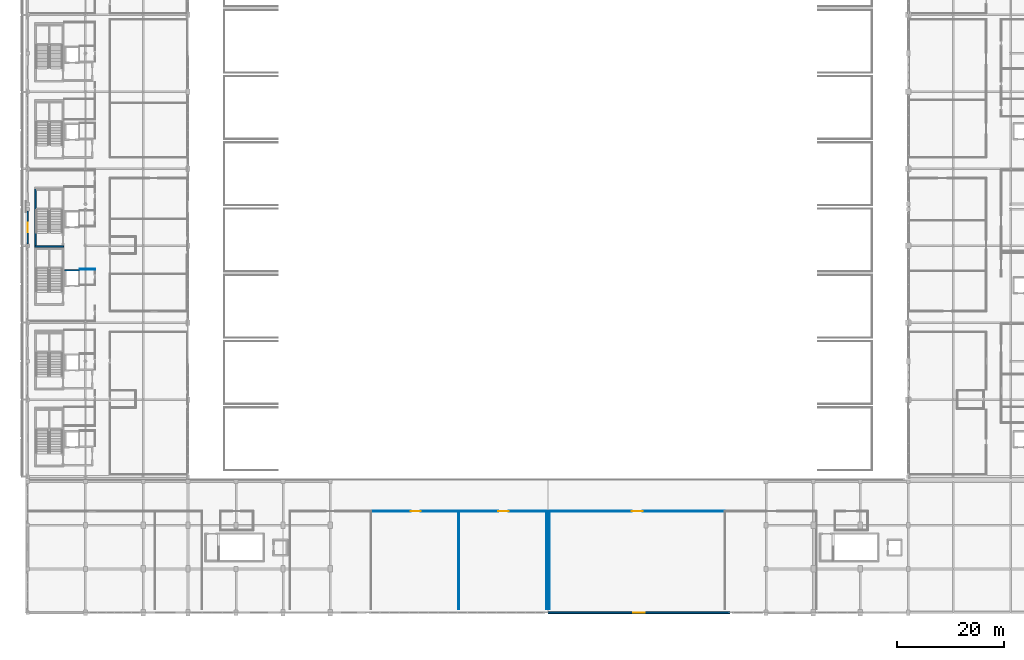
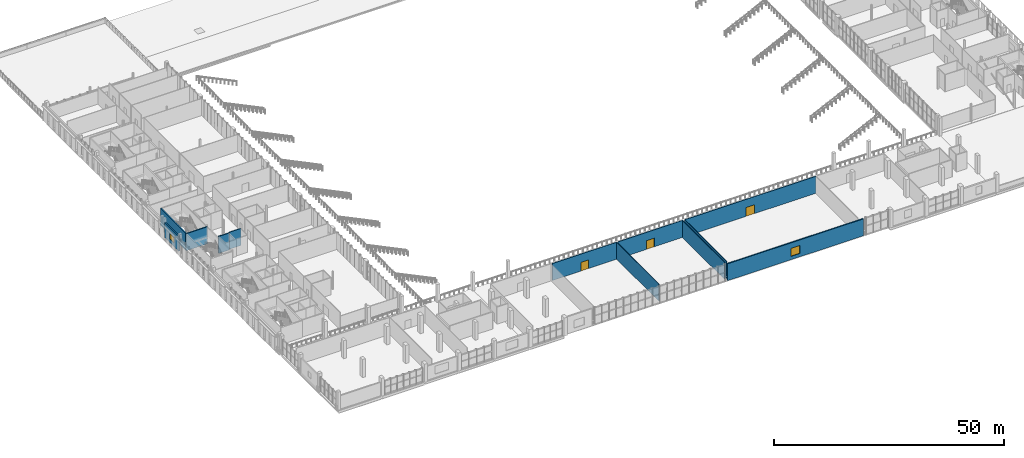
# One storey, part 65 of 104: 12 walls, 3 doors, 2 windows, 5 openings.
"""IFC4 building model written with IfcOpenShell, lengths in metres."""

from ifc_helpers import new_model, si_unit, direction, frame, frame_2d, origin, place, context, subcontext, project, spatial, rectangle, extrude, material, layer, layer_set, type_object, element, fill, save


model = new_model("IFC4")

# Units and contexts
model_context = context("Model", 3, precision=1e-05, world=origin(), true_north=direction((0.0, 1.0)))
body_context = subcontext(model_context, "Body", "Model", "MODEL_VIEW")
ifc_project = project(units=[si_unit("LENGTHUNIT", "METRE"), si_unit("AREAUNIT", "SQUARE_METRE"), si_unit("VOLUMEUNIT", "CUBIC_METRE"), si_unit("PLANEANGLEUNIT", "RADIAN"), si_unit("MASSUNIT", "GRAM", prefix="KILO")], contexts=[model_context])

# Site, building, storey
site_placement = place(None, origin())
site = spatial("IfcSite", under=ifc_project, at=site_placement, CompositionType="ELEMENT")
building_placement = place(site_placement, origin())
building = spatial("IfcBuilding", under=site, at=building_placement, Name="Koshinbarg Plaza Stadium", CompositionType="ELEMENT")
storey_placement = place(building_placement, frame((0.0, 0.0, 19.800048828125)))
storey = spatial("IfcBuildingStorey", under=building, at=storey_placement, Name="L04", CompositionType="ELEMENT", Elevation=19.800048828125)

# Walls
ifc_material_1 = material(Name="Concrete C40/50", Category="concrete")
ifc_layer_1 = layer(ifc_material_1, 0.25)
ifc_layer_set_1 = layer_set([ifc_layer_1], Name="Concrete C40/50")
wall_type_1 = type_object("IfcWallType", Name="WL-CORE-250", PredefinedType="SHEAR", material=ifc_layer_set_1)
wall_1_placement = place(storey_placement, frame((31.320068359375, 68.52490234375, 0.0), z_axis=(0.0, 0.0, 1.0), x_axis=(-1.0, 0.0, 0.0)))
element("IfcWall", 1, at=wall_1_placement, inside=storey, type_object=wall_type_1, Name="L04 core stair shear wall C03-far IWL-L04-0074", PredefinedType="SHEAR", context=body_context, shape_type="SweptSolid", body=[
    extrude(rectangle(XDim=5.3701171875, YDim=0.25, at=frame_2d((2.68505859375, 0.0))), origin(), (0.0, 0.0, 1.0), 4.5),
])
wall_2_placement = place(storey_placement, frame((26.074951171875, 68.675048828125, 0.0), z_axis=(0.0, 0.0, 1.0), x_axis=(0.0, 1.0, 0.0)))
element("IfcWall", 2, at=wall_2_placement, inside=storey, type_object=wall_type_1, Name="L04 core stair shear wall C04-left IWL-L04-0098", PredefinedType="SHEAR", context=body_context, shape_type="SweptSolid", body=[
    extrude(rectangle(XDim=10.849853515625, YDim=0.25, at=frame_2d((5.4248046875, 0.0))), origin(), (0.0, 0.0, 1.0), 4.5),
])
wall_3_placement = place(storey_placement, frame((34.27490234375, 64.10009765625, 0.0), z_axis=(0.0, 0.0, 1.0), x_axis=(-1.0, 0.0, 0.0)))
element("IfcWall", 3, at=wall_3_placement, inside=storey, type_object=wall_type_1, Name="L04 lift shaft shear wall LP01-N IWL-L04-0725", PredefinedType="SHEAR", context=body_context, shape_type="SweptSolid", body=[
    extrude(rectangle(XDim=2.75, YDim=0.25, at=frame_2d((1.375, 0.0))), origin(), (0.0, 0.0, 1.0), 4.5),
])

# Wall, opening, window
ifc_material_2 = material(Name="Off-white mineral plaster insulated wall", Category="masonry")
ifc_layer_2 = layer(ifc_material_2, 0.300048828125)
ifc_layer_set_2 = layer_set([ifc_layer_2], Name="Off-white mineral plaster insulated wall")
wall_type_2 = type_object("IfcWallType", Name="WL-EXT-300", PredefinedType="SOLIDWALL", material=ifc_layer_set_2)
wall_4_placement = place(storey_placement, frame((24.60009765625, 69.02001953125, 0.0), z_axis=(0.0, 0.0, 1.0), x_axis=(0.0, 1.0, 0.0)))
wall_4 = element("IfcWall", 4, at=wall_4_placement, inside=storey, type_object=wall_type_2, Name="L04 exterior envelope wall EWL-L04-0205", PredefinedType="SOLIDWALL", context=body_context, shape_type="SweptSolid", body=[
    extrude(rectangle(XDim=6.159912109375, YDim=0.300048828125, at=frame_2d((3.080078125, 0.0))), origin(), (0.0, 0.0, 1.0), 3.8798828125),
])
opening_1_placement = place(wall_4_placement, frame((2.179931640625, 0.0, 0.89990234375)))
opening_1 = element("IfcOpeningElement", 5, at=opening_1_placement, cuts=wall_4, Name="Opening WN04", PredefinedType="OPENING", context=body_context, shape_type="SweptSolid", body=[
    extrude(rectangle(XDim=1.800048828125, YDim=1.5, at=frame_2d((0.89990234375, 0.75))), frame((0.0, 0.159912109375, 0.0), z_axis=(0.0, -1.0, 0.0), x_axis=(1.0, 0.0, 0.0)), (0.0, 0.0, 1.0), 0.320068359375),
])
ifc_material_3 = material(Name="Solar-control double glazing in thermally broken aluminium frame", Category="aluminium")
window_type_1 = type_object("IfcWindowType", Name="WN-FAC-04", PartitioningType="DOUBLE_PANEL_VERTICAL", PredefinedType="WINDOW", material=ifc_material_3)
window_1_placement = place(opening_1_placement, origin())
window_1 = element("IfcWindow", 6, at=window_1_placement, inside=storey, type_object=window_type_1, Name="L04 facade window 0138", OverallHeight=1.5, OverallWidth=1.800048828125, PartitioningType="SINGLE_PANEL", PredefinedType="WINDOW", context=body_context, shape_type="SweptSolid", body=[
    extrude(rectangle(XDim=1.800048828125, YDim=1.5, at=frame_2d((0.89990234375, 0.75))), frame((0.0, 0.030029296875, 0.0), z_axis=(0.0, -1.0, 0.0), x_axis=(1.0, 0.0, 0.0)), (0.0, 0.0, 1.0), 0.06005859375),
])
fill(opening_1, window_1)

wall_5_placement = place(storey_placement, frame((156.0, 0.0, 0.0), z_axis=(0.0, 0.0, 1.0), x_axis=(-1.0, 0.0, 0.0)))
wall_5 = element("IfcWall", 7, at=wall_5_placement, inside=storey, type_object=wall_type_2, Name="L04 exterior envelope wall EWL-L04-0217", PredefinedType="SOLIDWALL", context=body_context, shape_type="SweptSolid", body=[
    extrude(rectangle(XDim=34.0, YDim=0.300048828125, at=frame_2d((17.0, 0.0))), origin(), (0.0, 0.0, 1.0), 4.47998046875),
])
opening_2_placement = place(wall_5_placement, frame((15.89990234375, 0.0, 0.89990234375)))
opening_2 = element("IfcOpeningElement", 8, at=opening_2_placement, cuts=wall_5, Name="Opening WN15", PredefinedType="OPENING", context=body_context, shape_type="SweptSolid", body=[
    extrude(rectangle(XDim=2.199951171875, YDim=2.10009765625, at=frame_2d((1.10009765625, 1.050048828125))), frame((0.0, 0.159912109375, 0.0), z_axis=(0.0, -1.0, 0.0), x_axis=(1.0, 0.0, 0.0)), (0.0, 0.0, 1.0), 0.320068359375),
])
window_type_2 = type_object("IfcWindowType", Name="WN-FAC-15", PartitioningType="DOUBLE_PANEL_VERTICAL", PredefinedType="WINDOW", material=ifc_material_3)
window_2_placement = place(opening_2_placement, origin())
window_2 = element("IfcWindow", 9, at=window_2_placement, inside=storey, type_object=window_type_2, Name="L04 facade window 0149", OverallHeight=2.10009765625, OverallWidth=2.199951171875, PartitioningType="SINGLE_PANEL", PredefinedType="WINDOW", context=body_context, shape_type="SweptSolid", body=[
    extrude(rectangle(XDim=2.199951171875, YDim=2.10009765625, at=frame_2d((1.10009765625, 1.050048828125))), frame((0.0, 0.030029296875, 0.0), z_axis=(0.0, -1.0, 0.0), x_axis=(1.0, 0.0, 0.0)), (0.0, 0.0, 1.0), 0.06005859375),
])
fill(opening_2, window_2)

# Walls
ifc_material_4 = material(Name="Double-layer gypsum acoustic suite partition")
ifc_layer_3 = layer(ifc_material_4, 0.14990234375)
ifc_layer_set_3 = layer_set([ifc_layer_3], Name="Double-layer gypsum acoustic suite partition")
wall_type_3 = type_object("IfcWallType", Name="WL-PART-150", PredefinedType="PARTITIONING", material=ifc_layer_set_3)
wall_6_placement = place(storey_placement, frame((37.199951171875, 64.280029296875, 0.0), z_axis=(0.0, 0.0, 1.0), x_axis=(-1.0, 0.0, 0.0)))
element("IfcWall", 10, at=wall_6_placement, inside=storey, type_object=wall_type_3, Name="L04 interior partition L04-44-north IWL-L04-2112", PredefinedType="PARTITIONING", context=body_context, shape_type="SweptSolid", body=[
    extrude(rectangle(XDim=2.869873046875, YDim=0.14990234375, at=frame_2d((1.43505859375, 0.0))), origin(), (0.0, 0.0, 1.0), 4.5),
])
wall_7_placement = place(storey_placement, frame((105.276611328125, 0.699951171875, 0.0), z_axis=(0.0, 0.0, 1.0), x_axis=(0.0, 1.0, 0.0)))
element("IfcWall", 11, at=wall_7_placement, inside=storey, type_object=wall_type_3, Name="L04 interior partition L04-87-east IWL-L04-2229", PredefinedType="PARTITIONING", context=body_context, shape_type="SweptSolid", body=[
    extrude(rectangle(XDim=18.300048828125, YDim=0.14990234375, at=frame_2d((9.14990234375, 0.0))), origin(), (0.0, 0.0, 1.0), 4.5),
])

# Wall, opening, door
wall_8_placement = place(storey_placement, frame((105.276611328125, 19.0, 0.0), z_axis=(0.0, 0.0, 1.0), x_axis=(-1.0, 0.0, 0.0)))
wall_8 = element("IfcWall", 12, at=wall_8_placement, inside=storey, type_object=wall_type_3, Name="L04 interior partition L04-87-north IWL-L04-2230", PredefinedType="PARTITIONING", context=body_context, shape_type="SweptSolid", body=[
    extrude(rectangle(XDim=16.1533203125, YDim=0.14990234375, at=frame_2d((8.07666015625, 0.0))), origin(), (0.0, 0.0, 1.0), 4.5),
])
opening_3_placement = place(wall_8_placement, frame((7.146728515625, 0.0, 0.0)))
opening_3 = element("IfcOpeningElement", 13, at=opening_3_placement, cuts=wall_8, Name="Opening D-0770", PredefinedType="OPENING", context=body_context, shape_type="SweptSolid", body=[
    extrude(rectangle(XDim=1.860107421875, YDim=2.300048828125, at=frame_2d((0.93017578125, 1.14990234375))), frame((0.0, 0.0849609375, 0.0), z_axis=(0.0, -1.0, 0.0), x_axis=(1.0, 0.0, 0.0)), (0.0, 0.0, 1.0), 0.169921875),
])
ifc_material_5 = material(Name="Acoustic solid-core walnut veneer fire door")
door_type_1 = type_object("IfcDoorType", Name="DR-INT-1860x2300", OperationType="NOTDEFINED", PredefinedType="DOOR", material=ifc_material_5)
door_1_placement = place(opening_3_placement, origin())
door_1 = element("IfcDoor", 14, at=door_1_placement, inside=storey, type_object=door_type_1, Name="L04 Commentary Editing Salon door D-0770", OperationType="DOUBLE_DOOR_SINGLE_SWING", OverallHeight=2.300048828125, OverallWidth=1.860107421875, PredefinedType="DOOR", context=body_context, shape_type="SweptSolid", body=[
    extrude(rectangle(XDim=1.860107421875, YDim=2.300048828125, at=frame_2d((0.93017578125, 1.14990234375))), frame((0.0, 0.02490234375, 0.0), z_axis=(0.0, -1.0, 0.0), x_axis=(1.0, 0.0, 0.0)), (0.0, 0.0, 1.0), 0.050048828125),
])
fill(opening_3, door_1)

# Wall
wall_9_placement = place(storey_placement, frame((121.72998046875, 0.699951171875, 0.0), z_axis=(0.0, 0.0, 1.0), x_axis=(0.0, 1.0, 0.0)))
element("IfcWall", 15, at=wall_9_placement, inside=storey, type_object=wall_type_3, Name="L04 interior partition L04-88-east IWL-L04-2231", PredefinedType="PARTITIONING", context=body_context, shape_type="SweptSolid", body=[
    extrude(rectangle(XDim=18.300048828125, YDim=0.14990234375, at=frame_2d((9.14990234375, 0.0))), origin(), (0.0, 0.0, 1.0), 4.5),
])

# Wall, opening, door
wall_10_placement = place(storey_placement, frame((121.72998046875, 19.0, 0.0), z_axis=(0.0, 0.0, 1.0), x_axis=(-1.0, 0.0, 0.0)))
wall_10 = element("IfcWall", 16, at=wall_10_placement, inside=storey, type_object=wall_type_3, Name="L04 interior partition L04-88-north IWL-L04-2232", PredefinedType="PARTITIONING", context=body_context, shape_type="SweptSolid", body=[
    extrude(rectangle(XDim=16.1533203125, YDim=0.14990234375, at=frame_2d((8.07666015625, 0.0))), origin(), (0.0, 0.0, 1.0), 4.5),
])
opening_4_placement = place(wall_10_placement, frame((7.0966796875, 0.0, 0.0)))
opening_4 = element("IfcOpeningElement", 17, at=opening_4_placement, cuts=wall_10, Name="Opening D-0771", PredefinedType="OPENING", context=body_context, shape_type="SweptSolid", body=[
    extrude(rectangle(XDim=1.9599609375, YDim=2.300048828125, at=frame_2d((0.97998046875, 1.14990234375))), frame((0.0, 0.0849609375, 0.0), z_axis=(0.0, -1.0, 0.0), x_axis=(1.0, 0.0, 0.0)), (0.0, 0.0, 1.0), 0.169921875),
])
ifc_material_6 = material(Name="Bronze-anodised aluminium glazed double door", Category="aluminium")
door_type_2 = type_object("IfcDoorType", Name="DR-INT-1960x2300", OperationType="NOTDEFINED", PredefinedType="DOOR", material=ifc_material_6)
door_2_placement = place(opening_4_placement, origin())
door_2 = element("IfcDoor", 18, at=door_2_placement, inside=storey, type_object=door_type_2, Name="L04 International Media Briefing Room door D-0771", OperationType="DOUBLE_DOOR_SINGLE_SWING", OverallHeight=2.300048828125, OverallWidth=1.9599609375, PredefinedType="DOOR", context=body_context, shape_type="SweptSolid", body=[
    extrude(rectangle(XDim=1.9599609375, YDim=2.300048828125, at=frame_2d((0.97998046875, 1.14990234375))), frame((0.0, 0.02490234375, 0.0), z_axis=(0.0, -1.0, 0.0), x_axis=(1.0, 0.0, 0.0)), (0.0, 0.0, 1.0), 0.050048828125),
])
fill(opening_4, door_2)

wall_11_placement = place(storey_placement, frame((155.110107421875, 19.0, 0.0), z_axis=(0.0, 0.0, 1.0), x_axis=(-1.0, 0.0, 0.0)))
wall_11 = element("IfcWall", 19, at=wall_11_placement, inside=storey, type_object=wall_type_3, Name="L04 interior partition L04-89-north IWL-L04-2234", PredefinedType="PARTITIONING", context=body_context, shape_type="SweptSolid", body=[
    extrude(rectangle(XDim=32.840087890625, YDim=0.14990234375, at=frame_2d((16.419921875, 0.0))), origin(), (0.0, 0.0, 1.0), 4.5),
])
opening_5_placement = place(wall_11_placement, frame((15.3798828125, 0.0, 0.0)))
opening_5 = element("IfcOpeningElement", 20, at=opening_5_placement, cuts=wall_11, Name="Opening D-0772", PredefinedType="OPENING", context=body_context, shape_type="SweptSolid", body=[
    extrude(rectangle(XDim=2.080078125, YDim=2.35009765625, at=frame_2d((1.0400390625, 1.175048828125))), frame((0.0, 0.0849609375, 0.0), z_axis=(0.0, -1.0, 0.0), x_axis=(1.0, 0.0, 0.0)), (0.0, 0.0, 1.0), 0.169921875),
])
ifc_material_7 = material(Name="Laminated safety glass aluminium vestibule door", Category="aluminium")
door_type_3 = type_object("IfcDoorType", Name="DR-INT-2080x2350", OperationType="NOTDEFINED", PredefinedType="DOOR", material=ifc_material_7)
door_3_placement = place(opening_5_placement, origin())
door_3 = element("IfcDoor", 21, at=door_3_placement, inside=storey, type_object=door_type_3, Name="L04 Commentary Editing Salon door D-0772", OperationType="DOUBLE_DOOR_SINGLE_SWING", OverallHeight=2.35009765625, OverallWidth=2.080078125, PredefinedType="DOOR", context=body_context, shape_type="SweptSolid", body=[
    extrude(rectangle(XDim=2.080078125, YDim=2.35009765625, at=frame_2d((1.0400390625, 1.175048828125))), frame((0.0, 0.02490234375, 0.0), z_axis=(0.0, -1.0, 0.0), x_axis=(1.0, 0.0, 0.0)), (0.0, 0.0, 1.0), 0.050048828125),
])
fill(opening_5, door_3)

# Wall
wall_12_placement = place(storey_placement, frame((122.27001953125, 19.0, 0.0), z_axis=(0.0, 0.0, 1.0), x_axis=(0.0, -1.0, 0.0)))
element("IfcWall", 22, at=wall_12_placement, inside=storey, type_object=wall_type_3, Name="L04 interior partition L04-89-west IWL-L04-2235", PredefinedType="PARTITIONING", context=body_context, shape_type="SweptSolid", body=[
    extrude(rectangle(XDim=18.300048828125, YDim=0.14990234375, at=frame_2d((9.14990234375, 0.0))), origin(), (0.0, 0.0, 1.0), 4.5),
])

save(model, "model.ifc")
